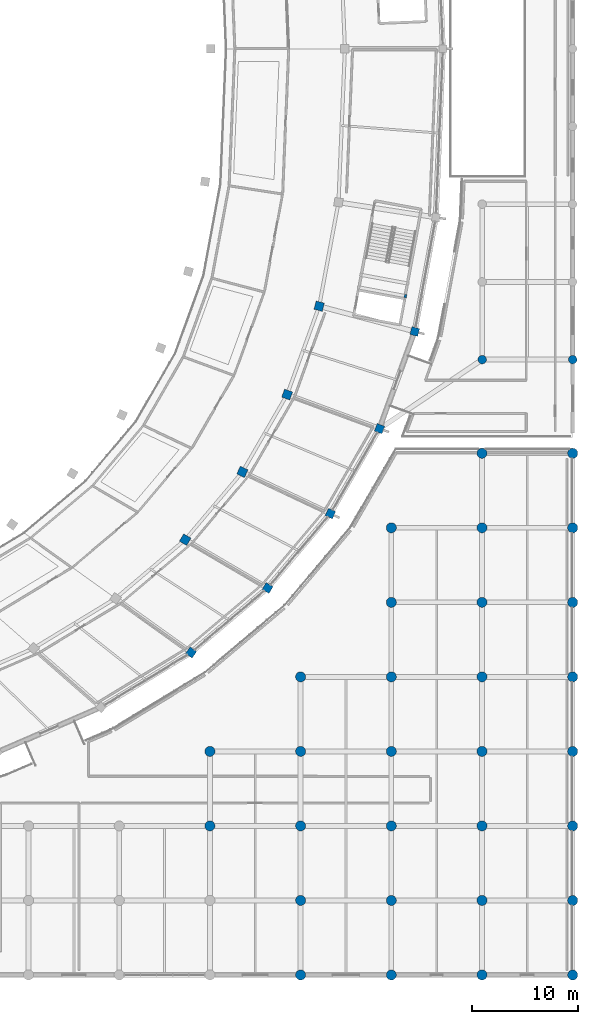
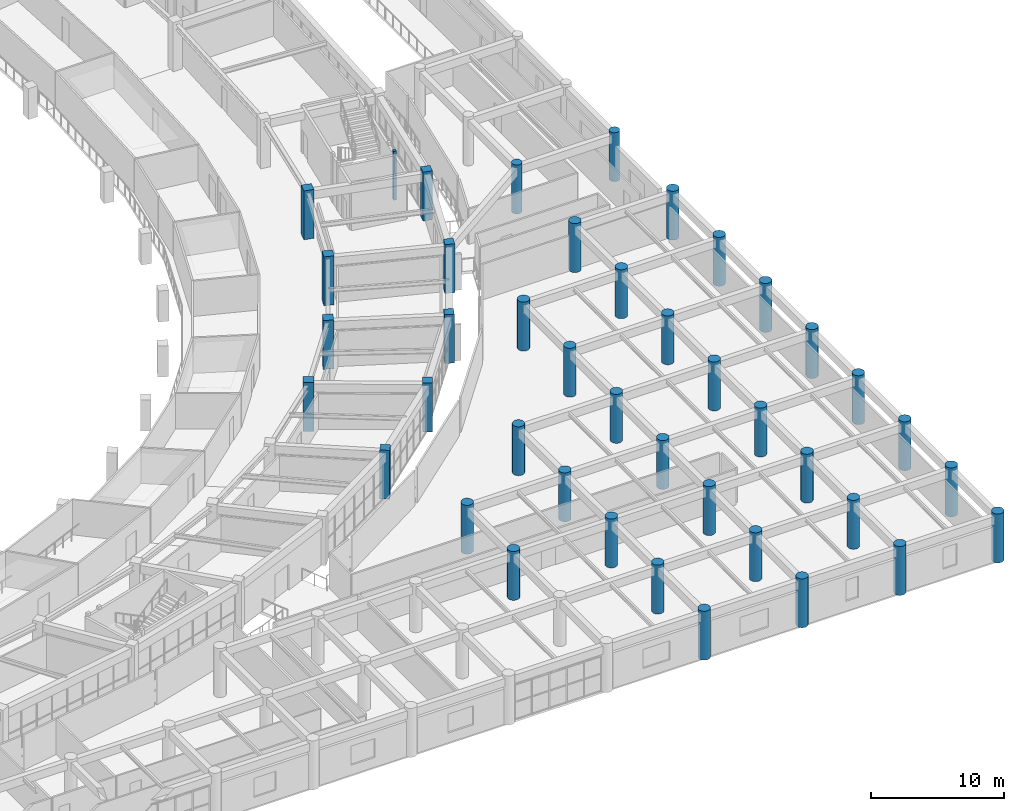
# One storey, part 5 of 141: 42 columns.
"""IFC4 building model written with IfcOpenShell, lengths in metres."""

from ifc_helpers import new_model, si_unit, direction, frame, origin, origin_2d, place, context, subcontext, project, spatial, rectangle, circle, extrude, material, material_profile, profile_set, type_object, element, save


model = new_model("IFC4")

# Units and contexts
model_context = context("Model", 3, precision=1e-05, world=origin(), true_north=direction((0.0, 1.0)))
body_context = subcontext(model_context, "Body", "Model", "MODEL_VIEW")
ifc_project = project(units=[si_unit("LENGTHUNIT", "METRE"), si_unit("AREAUNIT", "SQUARE_METRE"), si_unit("VOLUMEUNIT", "CUBIC_METRE"), si_unit("PLANEANGLEUNIT", "RADIAN"), si_unit("MASSUNIT", "GRAM", prefix="KILO")], contexts=[model_context])

# Site, building, storey
site_placement = place(None, origin())
site = spatial("IfcSite", under=ifc_project, at=site_placement, CompositionType="ELEMENT")
building_placement = place(site_placement, origin())
building = spatial("IfcBuilding", under=site, at=building_placement, Name="Mphavela Belvedere Stadium", CompositionType="ELEMENT")
storey_placement = place(building_placement, frame((0.0, 0.0, 14.699951171875)))
storey = spatial("IfcBuildingStorey", under=building, at=storey_placement, Name="L03", CompositionType="ELEMENT", Elevation=14.699951171875)

# Columns
ifc_material_1 = material(Name="Concrete C40/50", Category="concrete")
ifc_material_profile_1 = material_profile(ifc_material_1, rectangle(XDim=0.300048828125, YDim=0.219970703125, at=origin_2d()), Name="RC 300x220")
ifc_profile_set_1 = profile_set([ifc_material_profile_1], Name="Concrete C40/50")
column_type_1 = type_object("IfcColumnType", Name="COL-CORE-POST-300", PredefinedType="COLUMN", material=ifc_profile_set_1)
column_placement = place(storey_placement, frame((214.28955078125, 63.768798828125, 0.0), z_axis=(0.0, 0.0, 1.0), x_axis=(-0.182578735093, -0.983191235463, 0.0)))
element("IfcColumn", 1, at=column_placement, inside=storey, type_object=column_type_1, Name="Core C12 stair frame column L03-3", PredefinedType="COLUMN", context=body_context, shape_type="SweptSolid", body=[
    extrude(rectangle(XDim=0.300048828125, YDim=0.219970703125, at=origin_2d()), origin(), (0.0, 0.0, 1.0), 4.5),
])
ifc_material_2 = material(Name="Concrete C40/50", Category="concrete")
ifc_material_profile_2 = material_profile(ifc_material_2, circle(Radius=0.47509765625, at=origin_2d()), Name="COL D950")
ifc_profile_set_2 = profile_set([ifc_material_profile_2], Name="Concrete C40/50")
column_type_2 = type_object("IfcColumnType", Name="COL-DORIC-950", PredefinedType="COLUMN", material=ifc_profile_set_2)
for number, where, z_axis, x_axis, name in (
    (2, (195.926025390625, 14.0, 0.0), (0.0, 0.0, 1.0), (1.0, 0.0, 0.0), "South Axial Triumphal Peristyle Portico classical column L03 24-3"),
    (3, (195.926025390625, 21.0, 0.0), (0.0, 0.0, 1.0), (1.0, 0.0, 0.0), "South Axial Triumphal Peristyle Portico classical column L03 24-4"),
    (4, (204.444091796875, 0.0, 0.0), (0.0, 0.0, 1.0), (1.0, 0.0, 0.0), "South Axial Triumphal Peristyle Portico classical column L03 25-1"),
    (5, (204.444091796875, 7.0, 0.0), (0.0, 0.0, 1.0), (1.0, 0.0, 0.0), "South Axial Triumphal Peristyle Portico classical column L03 25-2"),
    (6, (204.444091796875, 14.0, 0.0), (0.0, 0.0, 1.0), (1.0, 0.0, 0.0), "South Axial Triumphal Peristyle Portico classical column L03 25-3"),
    (7, (204.444091796875, 21.0, 0.0), (0.0, 0.0, 1.0), (1.0, 0.0, 0.0), "South Axial Triumphal Peristyle Portico classical column L03 25-4"),
    (8, (204.444091796875, 28.0, 0.0), (0.0, 0.0, 1.0), (1.0, 0.0, 0.0), "South Axial Triumphal Peristyle Portico classical column L03 25-5"),
    (9, (212.962890625, 0.0, 0.0), (0.0, 0.0, 1.0), (1.0, 0.0, 0.0), "South Axial Triumphal Peristyle Portico classical column L03 26-1"),
    (10, (212.962890625, 7.0, 0.0), (0.0, 0.0, 1.0), (1.0, 0.0, 0.0), "South Axial Triumphal Peristyle Portico classical column L03 26-2"),
    (11, (212.962890625, 14.0, 0.0), (0.0, 0.0, 1.0), (1.0, 0.0, 0.0), "South Axial Triumphal Peristyle Portico classical column L03 26-3"),
    (12, (212.962890625, 21.0, 0.0), (0.0, 0.0, 1.0), (1.0, 0.0, 0.0), "South Axial Triumphal Peristyle Portico classical column L03 26-4"),
    (13, (212.962890625, 28.0, 0.0), (0.0, 0.0, 1.0), (1.0, 0.0, 0.0), "South Axial Triumphal Peristyle Portico classical column L03 26-5"),
    (14, (212.962890625, 35.0, 0.0), (0.0, 0.0, 1.0), (1.0, 0.0, 0.0), "South Axial Triumphal Peristyle Portico classical column L03 26-6"),
    (15, (212.962890625, 42.0, 0.0), (0.0, 0.0, 1.0), (1.0, 0.0, 0.0), "South Axial Triumphal Peristyle Portico classical column L03 26-7"),
    (16, (221.48095703125, 0.0, 0.0), (0.0, 0.0, 1.0), (1.0, 0.0, 0.0), "South Axial Triumphal Peristyle Portico classical column L03 27-1"),
    (17, (221.48095703125, 7.0, 0.0), (0.0, 0.0, 1.0), (1.0, 0.0, 0.0), "South Axial Triumphal Peristyle Portico classical column L03 27-2"),
    (18, (221.48095703125, 14.0, 0.0), (0.0, 0.0, 1.0), (1.0, 0.0, 0.0), "South Axial Triumphal Peristyle Portico classical column L03 27-3"),
    (19, (221.48095703125, 21.0, 0.0), (0.0, 0.0, 1.0), (1.0, 0.0, 0.0), "South Axial Triumphal Peristyle Portico classical column L03 27-4"),
    (20, (221.48095703125, 28.0, 0.0), (0.0, 0.0, 1.0), (1.0, 0.0, 0.0), "South Axial Triumphal Peristyle Portico classical column L03 27-5"),
    (21, (221.48095703125, 35.0, 0.0), (0.0, 0.0, 1.0), (1.0, 0.0, 0.0), "South Axial Triumphal Peristyle Portico classical column L03 27-6"),
    (22, (221.48095703125, 42.0, 0.0), (0.0, 0.0, 1.0), (1.0, 0.0, 0.0), "South Axial Triumphal Peristyle Portico classical column L03 27-7"),
    (23, (221.48095703125, 49.0, 0.0), (0.0, 0.0, 1.0), (1.0, 0.0, 0.0), "South Axial Triumphal Peristyle Portico classical column L03 27-8"),
    (24, (230.0, 0.0, 0.0), (0.0, 0.0, 1.0), (1.0, 0.0, 0.0), "South Axial Triumphal Peristyle Portico classical column L03 28-1"),
    (25, (230.0, 7.0, 0.0), (0.0, 0.0, 1.0), (1.0, 0.0, 0.0), "South Axial Triumphal Peristyle Portico classical column L03 28-2"),
    (26, (230.0, 14.0, 0.0), (0.0, 0.0, 1.0), (1.0, 0.0, 0.0), "South Axial Triumphal Peristyle Portico classical column L03 28-3"),
    (27, (230.0, 21.0, 0.0), (0.0, 0.0, 1.0), (1.0, 0.0, 0.0), "South Axial Triumphal Peristyle Portico classical column L03 28-4"),
    (28, (230.0, 28.0, 0.0), (0.0, 0.0, 1.0), (1.0, 0.0, 0.0), "South Axial Triumphal Peristyle Portico classical column L03 28-5"),
    (29, (230.0, 35.0, 0.0), (0.0, 0.0, 1.0), (1.0, 0.0, 0.0), "South Axial Triumphal Peristyle Portico classical column L03 28-6"),
    (30, (230.0, 42.0, 0.0), (0.0, 0.0, 1.0), (1.0, 0.0, 0.0), "South Axial Triumphal Peristyle Portico classical column L03 28-7"),
    (31, (230.0, 49.0, 0.0), (0.0, 0.0, 1.0), (1.0, 0.0, 0.0), "South Axial Triumphal Peristyle Portico classical column L03 28-8"),
):
    element("IfcColumn", number, at=place(storey_placement, frame(where, z_axis=z_axis, x_axis=x_axis)), inside=storey, type_object=column_type_2, Name=name, PredefinedType="COLUMN", context=body_context, shape_type="SweptSolid", body=[
        extrude(circle(Radius=0.47509765625, at=origin_2d()), origin(), (0.0, 0.0, 1.0), 4.5),
    ])
ifc_material_3 = material(Name="Concrete C40/50", Category="concrete")
ifc_material_profile_3 = material_profile(ifc_material_3, circle(Radius=0.39990234375, at=origin_2d()), Name="COL D800")
ifc_profile_set_3 = profile_set([ifc_material_profile_3], Name="Concrete C40/50")
column_type_3 = type_object("IfcColumnType", Name="COL-PERISTYLE-800", PredefinedType="COLUMN", material=ifc_profile_set_3)
for number, where, z_axis, x_axis, name in (
    (32, (221.5, 57.800048828125, 0.0), (0.0, 0.0, 1.0), (1.0, 0.0, 0.0), "East Planted Eaves Peristyle Colonnade classical column L03 8-2"),
    (33, (230.0, 57.800048828125, 0.0), (0.0, 0.0, 1.0), (1.0, 0.0, 0.0), "East Planted Eaves Peristyle Colonnade classical column L03 9-2"),
):
    element("IfcColumn", number, at=place(storey_placement, frame(where, z_axis=z_axis, x_axis=x_axis)), inside=storey, type_object=column_type_3, Name=name, PredefinedType="COLUMN", context=body_context, shape_type="SweptSolid", body=[
        extrude(circle(Radius=0.39990234375, at=origin_2d()), origin(), (0.0, 0.0, 1.0), 4.5),
    ])
ifc_material_4 = material(Name="Concrete C40/50", Category="concrete")
ifc_material_profile_4 = material_profile(ifc_material_4, rectangle(XDim=0.75, YDim=0.75, at=origin_2d()), Name="RC 750x750")
ifc_profile_set_4 = profile_set([ifc_material_profile_4], Name="Concrete C40/50")
column_type_4 = type_object("IfcColumnType", Name="COL-RC750", PredefinedType="COLUMN", material=ifc_profile_set_4)
for number, where, z_axis, x_axis, name in (
    (34, (194.155517578125, 30.285400390625, 0.0), (0.0, 0.0, 1.0), (0.812897512265, -0.582406760395, 0.0), "Outer colonnade column L03 R4-43"),
    (35, (201.33837890625, 36.346435546875, 0.0), (0.0, 0.0, 1.0), (0.862513669207, -0.506033764121, 0.0), "Outer colonnade column L03 R4-44"),
    (36, (207.242431640625, 43.33837890625, 0.0), (0.0, 0.0, 1.0), (0.903858661687, -0.4278311813, 0.0), "Outer colonnade column L03 R4-45"),
    (37, (211.856201171875, 51.317626953125, 0.0), (0.0, 0.0, 1.0), (0.938372433776, -0.34562577382, 0.0), "Outer colonnade column L03 R4-46"),
    (38, (215.16455078125, 60.4375, 0.0), (0.0, 0.0, 1.0), (0.966600102017, -0.256289373133, 0.0), "Outer colonnade column L03 R4-47"),
):
    element("IfcColumn", number, at=place(storey_placement, frame(where, z_axis=z_axis, x_axis=x_axis)), inside=storey, type_object=column_type_4, Name=name, PredefinedType="COLUMN", context=body_context, shape_type="SweptSolid", body=[
        extrude(rectangle(XDim=0.75, YDim=0.75, at=origin_2d()), origin(), (0.0, 0.0, 1.0), 4.5),
    ])
ifc_material_5 = material(Name="Concrete C40/50", Category="concrete")
ifc_material_profile_5 = material_profile(ifc_material_5, rectangle(XDim=0.800048828125, YDim=0.800048828125, at=origin_2d()), Name="RC 800x800")
ifc_profile_set_5 = profile_set([ifc_material_profile_5], Name="Concrete C40/50")
column_type_5 = type_object("IfcColumnType", Name="COL-RC800", PredefinedType="COLUMN", material=ifc_profile_set_5)
for number, where, z_axis, x_axis, name in (
    (39, (193.600341796875, 40.88623046875, 0.0), (0.0, 0.0, 1.0), (0.862513669207, -0.506033764121, 0.0), "Main bowl column L03 R3-44"),
    (40, (198.9755859375, 47.251708984375, 0.0), (0.0, 0.0, 1.0), (0.903858661687, -0.4278311813, 0.0), "Main bowl column L03 R3-45"),
    (41, (203.175537109375, 54.515625, 0.0), (0.0, 0.0, 1.0), (0.938372433776, -0.34562577382, 0.0), "Main bowl column L03 R3-46"),
    (42, (206.1875, 62.818115234375, 0.0), (0.0, 0.0, 1.0), (0.966600102017, -0.256289373133, 0.0), "Main bowl column L03 R3-47"),
):
    element("IfcColumn", number, at=place(storey_placement, frame(where, z_axis=z_axis, x_axis=x_axis)), inside=storey, type_object=column_type_5, Name=name, PredefinedType="COLUMN", context=body_context, shape_type="SweptSolid", body=[
        extrude(rectangle(XDim=0.800048828125, YDim=0.800048828125, at=origin_2d()), origin(), (0.0, 0.0, 1.0), 4.5),
    ])

save(model, "model.ifc")
